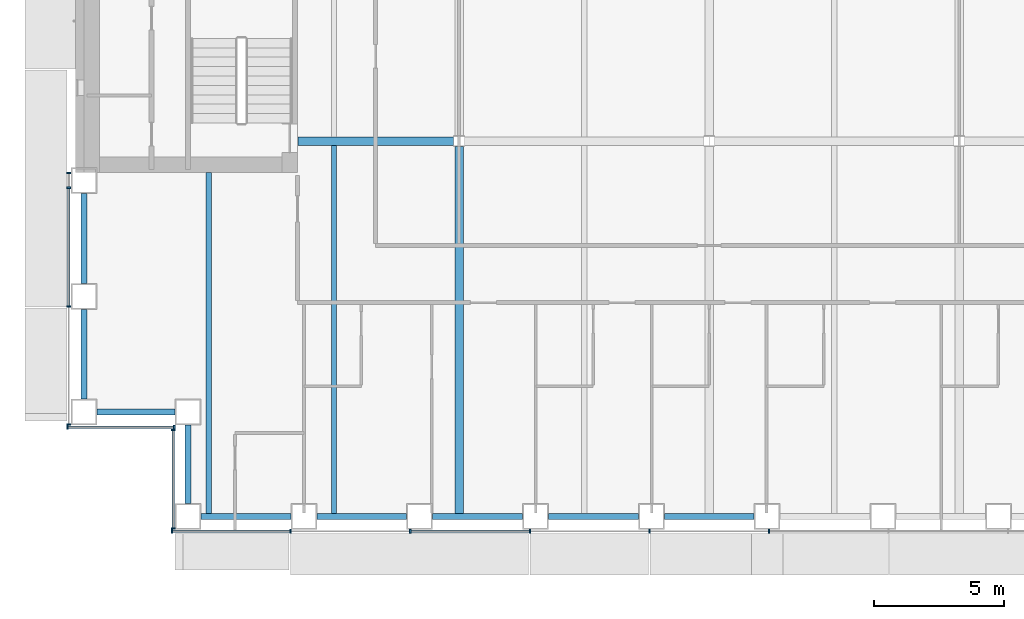
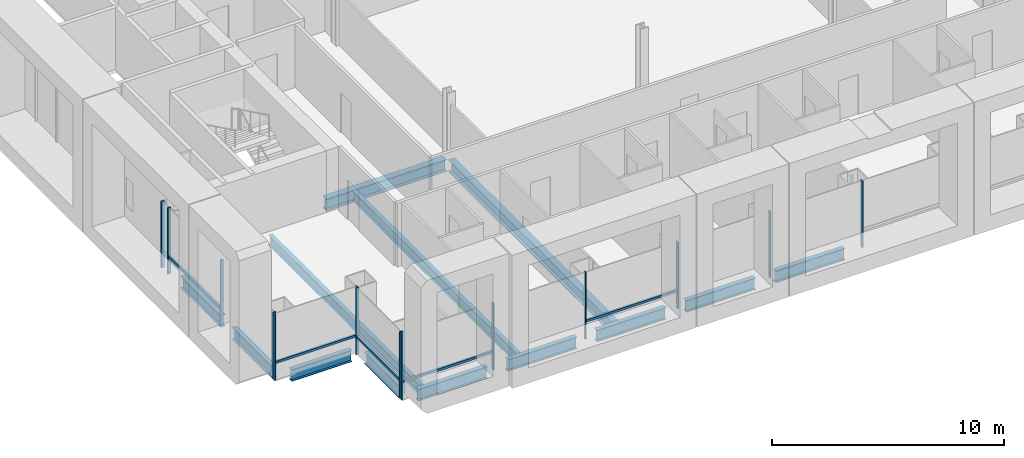
# One storey, part 2 of 25: 19 members, 13 beams, 4 elements without a shape of their own.
"""IFC4 building model written with IfcOpenShell, lengths in metres."""

from ifc_helpers import new_model, si_unit, direction, frame, origin, origin_2d, place, context, subcontext, project, spatial, rectangle, i_section, extrude, material, material_profile, profile_set, type_object, element, aggregate, save


model = new_model("IFC4")

# Units and contexts
model_context = context("Model", 3, precision=1e-05, world=origin(), true_north=direction((0.0, 1.0)))
body_context = subcontext(model_context, "Body", "Model", "MODEL_VIEW")
ifc_project = project(units=[si_unit("LENGTHUNIT", "METRE"), si_unit("AREAUNIT", "SQUARE_METRE"), si_unit("VOLUMEUNIT", "CUBIC_METRE"), si_unit("PLANEANGLEUNIT", "RADIAN"), si_unit("MASSUNIT", "GRAM", prefix="KILO")], contexts=[model_context])

# Site, building, storey
site_placement = place(None, origin())
site = spatial("IfcSite", under=ifc_project, at=site_placement, CompositionType="ELEMENT")
building_placement = place(site_placement, origin())
building = spatial("IfcBuilding", under=site, at=building_placement, Name="Cobrizo Arcos Hotel Tower", CompositionType="ELEMENT")
storey_placement = place(building_placement, frame((0.0, 0.0, 46.0)))
storey = spatial("IfcBuildingStorey", under=building, at=storey_placement, Name="L09", CompositionType="ELEMENT", Elevation=46.0)

# Curtain wall, members
ifc_material_1 = material(Name="Aluminium 6063-T6 anodised bronze", Category="aluminium")
curtain_wall_type = type_object("IfcCurtainWallType", Name="CW-A guest facade", PredefinedType="NOTDEFINED", material=ifc_material_1)
curtain_wall_1_placement = place(storey_placement, origin())
curtain_wall_1 = element("IfcCurtainWall", 1, at=curtain_wall_1_placement, inside=storey, type_object=curtain_wall_type, Name="CW-A L09 S face", PredefinedType="NOTDEFINED")
ifc_material_profile_1 = material_profile(ifc_material_1, rectangle(XDim=0.14990234375, YDim=0.06005859375, at=origin_2d()), Name="CW-A mullion 150x60")
ifc_profile_set_1 = profile_set([ifc_material_profile_1], Name="Aluminium 6063-T6 anodised bronze")
member_type_1 = type_object("IfcMemberType", Name="CW-A mullion 150x60", PredefinedType="MULLION", material=ifc_profile_set_1)
member_1_placement = place(storey_placement, frame((-20.6201171875, -24.574951171875, 0.0), z_axis=(0.0, 0.0, 1.0), x_axis=(0.0, -1.0, 0.0)))
member_1 = element("IfcMember", 2, at=member_1_placement, type_object=member_type_1, Name="CW-A mullion 1", PredefinedType="MULLION", context=body_context, shape_type="SweptSolid", body=[
    extrude(rectangle(XDim=0.14990234375, YDim=0.06005859375, at=origin_2d()), origin(), (0.0, 0.0, 1.0), 3.5),
])
member_2_placement = place(storey_placement, frame((-16.06103515625, -24.574951171875, 0.0), z_axis=(0.0, 0.0, 1.0), x_axis=(0.0, -1.0, 0.0)))
member_2 = element("IfcMember", 3, at=member_2_placement, type_object=member_type_1, Name="CW-A mullion 2", PredefinedType="MULLION", context=body_context, shape_type="SweptSolid", body=[
    extrude(rectangle(XDim=0.14990234375, YDim=0.06005859375, at=origin_2d()), origin(), (0.0, 0.0, 1.0), 3.5),
])
member_3_placement = place(storey_placement, frame((-11.47216796875, -24.574951171875, 0.0), z_axis=(0.0, 0.0, 1.0), x_axis=(0.0, -1.0, 0.0)))
member_3 = element("IfcMember", 4, at=member_3_placement, type_object=member_type_1, Name="CW-A mullion 3", PredefinedType="MULLION", context=body_context, shape_type="SweptSolid", body=[
    extrude(rectangle(XDim=0.14990234375, YDim=0.06005859375, at=origin_2d()), origin(), (0.0, 0.0, 1.0), 3.5),
])
member_4_placement = place(storey_placement, frame((-6.88330078125, -24.574951171875, 0.0), z_axis=(0.0, 0.0, 1.0), x_axis=(0.0, -1.0, 0.0)))
member_4 = element("IfcMember", 5, at=member_4_placement, type_object=member_type_1, Name="CW-A mullion 4", PredefinedType="MULLION", context=body_context, shape_type="SweptSolid", body=[
    extrude(rectangle(XDim=0.14990234375, YDim=0.06005859375, at=origin_2d()), origin(), (0.0, 0.0, 1.0), 3.5),
])
member_5_placement = place(storey_placement, frame((-2.29443359375, -24.574951171875, 0.0), z_axis=(0.0, 0.0, 1.0), x_axis=(0.0, -1.0, 0.0)))
member_5 = element("IfcMember", 6, at=member_5_placement, type_object=member_type_1, Name="CW-A mullion 5", PredefinedType="MULLION", context=body_context, shape_type="SweptSolid", body=[
    extrude(rectangle(XDim=0.14990234375, YDim=0.06005859375, at=origin_2d()), origin(), (0.0, 0.0, 1.0), 3.5),
])
member_6_placement = place(storey_placement, frame((2.29443359375, -24.574951171875, 0.0), z_axis=(0.0, 0.0, 1.0), x_axis=(0.0, -1.0, 0.0)))
member_6 = element("IfcMember", 7, at=member_6_placement, type_object=member_type_1, Name="CW-A mullion 6", PredefinedType="MULLION", context=body_context, shape_type="SweptSolid", body=[
    extrude(rectangle(XDim=0.14990234375, YDim=0.06005859375, at=origin_2d()), origin(), (0.0, 0.0, 1.0), 3.5),
])

curtain_wall_2_placement = place(storey_placement, origin())
curtain_wall_2 = element("IfcCurtainWall", 8, at=curtain_wall_2_placement, inside=storey, type_object=curtain_wall_type, Name="CW-A L09 W face", PredefinedType="NOTDEFINED")
member_7_placement = place(storey_placement, frame((-24.574951171875, -10.830078125, 0.0), z_axis=(0.0, 0.0, 1.0), x_axis=(-1.0, 0.0, 0.0)))
member_7 = element("IfcMember", 9, at=member_7_placement, type_object=member_type_1, Name="CW-A mullion 1", PredefinedType="MULLION", context=body_context, shape_type="SweptSolid", body=[
    extrude(rectangle(XDim=0.14990234375, YDim=0.06005859375, at=origin_2d()), origin(), (0.0, 0.0, 1.0), 3.5),
])
member_8_placement = place(storey_placement, frame((-24.574951171875, -11.388916015625, 0.0), z_axis=(0.0, 0.0, 1.0), x_axis=(-1.0, 0.0, 0.0)))
member_8 = element("IfcMember", 10, at=member_8_placement, type_object=member_type_1, Name="CW-A mullion 2", PredefinedType="MULLION", context=body_context, shape_type="SweptSolid", body=[
    extrude(rectangle(XDim=0.14990234375, YDim=0.06005859375, at=origin_2d()), origin(), (0.0, 0.0, 1.0), 3.5),
])
member_9_placement = place(storey_placement, frame((-24.574951171875, -15.9443359375, 0.0), z_axis=(0.0, 0.0, 1.0), x_axis=(-1.0, 0.0, 0.0)))
member_9 = element("IfcMember", 11, at=member_9_placement, type_object=member_type_1, Name="CW-A mullion 3", PredefinedType="MULLION", context=body_context, shape_type="SweptSolid", body=[
    extrude(rectangle(XDim=0.14990234375, YDim=0.06005859375, at=origin_2d()), origin(), (0.0, 0.0, 1.0), 3.5),
])
member_10_placement = place(storey_placement, frame((-24.574951171875, -20.469970703125, 0.0), z_axis=(0.0, 0.0, 1.0), x_axis=(-1.0, 0.0, 0.0)))
member_10 = element("IfcMember", 12, at=member_10_placement, type_object=member_type_1, Name="CW-A mullion 4", PredefinedType="MULLION", context=body_context, shape_type="SweptSolid", body=[
    extrude(rectangle(XDim=0.14990234375, YDim=0.06005859375, at=origin_2d()), origin(), (0.0, 0.0, 1.0), 3.5),
])

curtain_wall_3_placement = place(storey_placement, origin())
curtain_wall_3 = element("IfcCurtainWall", 13, at=curtain_wall_3_placement, inside=storey, type_object=curtain_wall_type, Name="CW-A L09 S face", PredefinedType="NOTDEFINED")
member_11_placement = place(storey_placement, frame((-24.6201171875, -20.574951171875, 0.0), z_axis=(0.0, 0.0, 1.0), x_axis=(0.0, -1.0, 0.0)))
member_11 = element("IfcMember", 14, at=member_11_placement, type_object=member_type_1, Name="CW-A mullion 1", PredefinedType="MULLION", context=body_context, shape_type="SweptSolid", body=[
    extrude(rectangle(XDim=0.14990234375, YDim=0.06005859375, at=origin_2d()), origin(), (0.0, 0.0, 1.0), 3.5),
])
member_12_placement = place(storey_placement, frame((-20.530029296875, -20.574951171875, 0.0), z_axis=(0.0, 0.0, 1.0), x_axis=(0.0, -1.0, 0.0)))
member_12 = element("IfcMember", 15, at=member_12_placement, type_object=member_type_1, Name="CW-A mullion 2", PredefinedType="MULLION", context=body_context, shape_type="SweptSolid", body=[
    extrude(rectangle(XDim=0.14990234375, YDim=0.06005859375, at=origin_2d()), origin(), (0.0, 0.0, 1.0), 3.5),
])

curtain_wall_4_placement = place(storey_placement, origin())
curtain_wall_4 = element("IfcCurtainWall", 16, at=curtain_wall_4_placement, inside=storey, type_object=curtain_wall_type, Name="CW-A L09 W face", PredefinedType="NOTDEFINED")
member_13_placement = place(storey_placement, frame((-20.574951171875, -20.679931640625, 0.0), z_axis=(0.0, 0.0, 1.0), x_axis=(-1.0, 0.0, 0.0)))
member_13 = element("IfcMember", 17, at=member_13_placement, type_object=member_type_1, Name="CW-A mullion 1", PredefinedType="MULLION", context=body_context, shape_type="SweptSolid", body=[
    extrude(rectangle(XDim=0.14990234375, YDim=0.06005859375, at=origin_2d()), origin(), (0.0, 0.0, 1.0), 3.5),
])
member_14_placement = place(storey_placement, frame((-20.574951171875, -24.469970703125, 0.0), z_axis=(0.0, 0.0, 1.0), x_axis=(-1.0, 0.0, 0.0)))
member_14 = element("IfcMember", 18, at=member_14_placement, type_object=member_type_1, Name="CW-A mullion 2", PredefinedType="MULLION", context=body_context, shape_type="SweptSolid", body=[
    extrude(rectangle(XDim=0.14990234375, YDim=0.06005859375, at=origin_2d()), origin(), (0.0, 0.0, 1.0), 3.5),
])

# Member
ifc_material_profile_2 = material_profile(ifc_material_1, rectangle(XDim=0.10009765625, YDim=0.1201171875, at=origin_2d()), Name="CW-A transom 120x100")
ifc_profile_set_2 = profile_set([ifc_material_profile_2], Name="Aluminium 6063-T6 anodised bronze")
member_type_2 = type_object("IfcMemberType", Name="CW-A transom 120x100", PredefinedType="USERDEFINED", material=ifc_profile_set_2)
member_15_placement = place(storey_placement, frame((-20.590087890625, -24.574951171875, 0.929931640625), z_axis=(1.0, 0.0, 0.0), x_axis=(0.0, 1.0, 0.0)))
member_15 = element("IfcMember", 19, at=member_15_placement, type_object=member_type_2, Name="CW-A transom 437", ObjectType="TRANSOM", PredefinedType="USERDEFINED", context=body_context, shape_type="SweptSolid", body=[
    extrude(rectangle(XDim=0.10009765625, YDim=0.1201171875, at=origin_2d()), origin(), (0.0, 0.0, 1.0), 4.4990234375),
])

member_16_placement = place(storey_placement, frame((-11.442138671875, -24.574951171875, 0.929931640625), z_axis=(1.0, 0.0, 0.0), x_axis=(0.0, 1.0, 0.0)))
member_16 = element("IfcMember", 20, at=member_16_placement, type_object=member_type_2, Name="CW-A transom 439", ObjectType="TRANSOM", PredefinedType="USERDEFINED", context=body_context, shape_type="SweptSolid", body=[
    extrude(rectangle(XDim=0.10009765625, YDim=0.1201171875, at=origin_2d()), origin(), (0.0, 0.0, 1.0), 4.52880859375),
])

aggregate(curtain_wall_1, [member_1, member_2, member_3, member_4, member_5, member_6, member_15, member_16])

member_17_placement = place(storey_placement, frame((-24.574951171875, -11.4189453125, 0.929931640625), z_axis=(0.0, -1.0, 0.0), x_axis=(1.0, 0.0, 0.0)))
member_17 = element("IfcMember", 21, at=member_17_placement, type_object=member_type_2, Name="CW-A transom 471", ObjectType="TRANSOM", PredefinedType="USERDEFINED", context=body_context, shape_type="SweptSolid", body=[
    extrude(rectangle(XDim=0.10009765625, YDim=0.1201171875, at=origin_2d()), origin(), (0.0, 0.0, 1.0), 4.49560546875),
])

aggregate(curtain_wall_2, [member_7, member_8, member_9, member_10, member_17])

member_18_placement = place(storey_placement, frame((-24.590087890625, -20.574951171875, 0.929931640625), z_axis=(1.0, 0.0, 0.0), x_axis=(0.0, 1.0, 0.0)))
member_18 = element("IfcMember", 22, at=member_18_placement, type_object=member_type_2, Name="CW-A transom 473", ObjectType="TRANSOM", PredefinedType="USERDEFINED", context=body_context, shape_type="SweptSolid", body=[
    extrude(rectangle(XDim=0.10009765625, YDim=0.1201171875, at=origin_2d()), origin(), (0.0, 0.0, 1.0), 4.030029296875),
])

aggregate(curtain_wall_3, [member_11, member_12, member_18])

member_19_placement = place(storey_placement, frame((-20.574951171875, -20.7099609375, 0.929931640625), z_axis=(0.0, -1.0, 0.0), x_axis=(1.0, 0.0, 0.0)))
member_19 = element("IfcMember", 23, at=member_19_placement, type_object=member_type_2, Name="CW-A transom 474", ObjectType="TRANSOM", PredefinedType="USERDEFINED", context=body_context, shape_type="SweptSolid", body=[
    extrude(rectangle(XDim=0.10009765625, YDim=0.1201171875, at=origin_2d()), origin(), (0.0, 0.0, 1.0), 3.72998046875),
])

aggregate(curtain_wall_4, [member_13, member_14, member_19])

# Beams
ifc_material_2 = material(Name="Steel ASTM A992 Grade 50", Category="steel")
ifc_material_profile_3 = material_profile(ifc_material_2, i_section(OverallWidth=0.209228515625, OverallDepth=0.533447265625, WebThickness=0.01025390625, FlangeThickness=0.015625, at=origin_2d()), Name="W21X62")
ifc_profile_set_3 = profile_set([ifc_material_profile_3], Name="Steel ASTM A992 Grade 50")
beam_type_1 = type_object("IfcBeamType", Name="W21X62 joist", PredefinedType="JOIST", material=ifc_profile_set_3)
beam_1_placement = place(storey_placement, frame((-19.199951171875, -23.909912109375, -0.416748046875), z_axis=(0.0, 1.0, 0.0), x_axis=(-1.0, 0.0, 0.0)))
element("IfcBeam", 24, at=beam_1_placement, inside=storey, type_object=beam_type_1, Name="Floor joist J1, L09, no. 001", PredefinedType="JOIST", context=body_context, shape_type="SweptSolid", body=[
    extrude(i_section(OverallWidth=0.209228515625, OverallDepth=0.533447265625, WebThickness=0.01025390625, FlangeThickness=0.015625, at=origin_2d()), origin(), (0.0, 0.0, 1.0), 13.099853515625),
])
beam_2_placement = place(storey_placement, frame((-14.39990234375, -23.909912109375, -0.416748046875), z_axis=(0.0, 1.0, 0.0), x_axis=(-1.0, 0.0, 0.0)))
element("IfcBeam", 25, at=beam_2_placement, inside=storey, type_object=beam_type_1, Name="Floor joist J1, L09, no. 003", PredefinedType="JOIST", context=body_context, shape_type="SweptSolid", body=[
    extrude(i_section(OverallWidth=0.209228515625, OverallDepth=0.533447265625, WebThickness=0.01025390625, FlangeThickness=0.015625, at=origin_2d()), origin(), (0.0, 0.0, 1.0), 14.14599609375),
])
ifc_material_profile_4 = material_profile(ifc_material_2, i_section(OverallWidth=0.32763671875, OverallDepth=0.622314453125, WebThickness=0.015380859375, FlangeThickness=0.0244140625, at=origin_2d()), Name="W24X131")
ifc_profile_set_4 = profile_set([ifc_material_profile_4], Name="Steel ASTM A992 Grade 50")
beam_type_2 = type_object("IfcBeamType", Name="W24X131 girder", PredefinedType="BEAM", material=ifc_profile_set_4)
beam_3_placement = place(storey_placement, frame((-15.7900390625, -9.60009765625, -0.461181640625), z_axis=(1.0, 0.0, 0.0), x_axis=(0.0, 1.0, 0.0)))
element("IfcBeam", 26, at=beam_3_placement, inside=storey, type_object=beam_type_2, Name="Floor girder G1, L09, no. 001", PredefinedType="BEAM", context=body_context, shape_type="SweptSolid", body=[
    extrude(i_section(OverallWidth=0.32763671875, OverallDepth=0.622314453125, WebThickness=0.015380859375, FlangeThickness=0.0244140625, at=origin_2d()), origin(), (0.0, 0.0, 1.0), 5.985595703125),
])
beam_4_placement = place(storey_placement, frame((-9.60009765625, -23.909912109375, -0.461181640625), z_axis=(0.0, 1.0, 0.0), x_axis=(-1.0, 0.0, 0.0)))
element("IfcBeam", 27, at=beam_4_placement, inside=storey, type_object=beam_type_2, Name="Floor girder G1, L09, no. 013", PredefinedType="BEAM", context=body_context, shape_type="SweptSolid", body=[
    extrude(i_section(OverallWidth=0.32763671875, OverallDepth=0.622314453125, WebThickness=0.015380859375, FlangeThickness=0.0244140625, at=origin_2d()), origin(), (0.0, 0.0, 1.0), 14.10546875),
])
ifc_material_profile_5 = material_profile(ifc_material_2, i_section(OverallWidth=0.23046875, OverallDepth=0.6171875, WebThickness=0.01318359375, FlangeThickness=0.022216796875, at=origin_2d()), Name="W24X94")
ifc_profile_set_5 = profile_set([ifc_material_profile_5], Name="Steel ASTM A992 Grade 50")
beam_type_3 = type_object("IfcBeamType", Name="W24X94 spandrel", PredefinedType="SPANDREL", material=ifc_profile_set_5)
beam_5_placement = place(storey_placement, frame((-19.5, -24.0, -0.45849609375), z_axis=(1.0, 0.0, 0.0), x_axis=(0.0, 1.0, 0.0)))
element("IfcBeam", 28, at=beam_5_placement, inside=storey, type_object=beam_type_3, Name="Spandrel beam W24X94, L09, no. 001", PredefinedType="SPANDREL", context=body_context, shape_type="SweptSolid", body=[
    extrude(i_section(OverallWidth=0.23046875, OverallDepth=0.6171875, WebThickness=0.01318359375, FlangeThickness=0.022216796875, at=origin_2d()), origin(), (0.0, 0.0, 1.0), 3.444091796875),
])
beam_6_placement = place(storey_placement, frame((-15.055908203125, -24.0, -0.45849609375), z_axis=(1.0, 0.0, 0.0), x_axis=(0.0, 1.0, 0.0)))
element("IfcBeam", 29, at=beam_6_placement, inside=storey, type_object=beam_type_3, Name="Spandrel beam W24X94, L09, no. 002", PredefinedType="SPANDREL", context=body_context, shape_type="SweptSolid", body=[
    extrude(i_section(OverallWidth=0.23046875, OverallDepth=0.6171875, WebThickness=0.01318359375, FlangeThickness=0.022216796875, at=origin_2d()), origin(), (0.0, 0.0, 1.0), 3.44482421875),
])
beam_7_placement = place(storey_placement, frame((-10.611083984375, -24.0, -0.45849609375), z_axis=(1.0, 0.0, 0.0), x_axis=(0.0, 1.0, 0.0)))
element("IfcBeam", 30, at=beam_7_placement, inside=storey, type_object=beam_type_3, Name="Spandrel beam W24X94, L09, no. 003", PredefinedType="SPANDREL", context=body_context, shape_type="SweptSolid", body=[
    extrude(i_section(OverallWidth=0.23046875, OverallDepth=0.6171875, WebThickness=0.01318359375, FlangeThickness=0.022216796875, at=origin_2d()), origin(), (0.0, 0.0, 1.0), 3.444091796875),
])
beam_8_placement = place(storey_placement, frame((-6.1669921875, -24.0, -0.45849609375), z_axis=(1.0, 0.0, 0.0), x_axis=(0.0, 1.0, 0.0)))
element("IfcBeam", 31, at=beam_8_placement, inside=storey, type_object=beam_type_3, Name="Spandrel beam W24X94, L09, no. 004", PredefinedType="SPANDREL", context=body_context, shape_type="SweptSolid", body=[
    extrude(i_section(OverallWidth=0.23046875, OverallDepth=0.6171875, WebThickness=0.01318359375, FlangeThickness=0.022216796875, at=origin_2d()), origin(), (0.0, 0.0, 1.0), 3.445068359375),
])
beam_9_placement = place(storey_placement, frame((-1.721923828125, -24.0, -0.45849609375), z_axis=(1.0, 0.0, 0.0), x_axis=(0.0, 1.0, 0.0)))
element("IfcBeam", 32, at=beam_9_placement, inside=storey, type_object=beam_type_3, Name="Spandrel beam W24X94, L09, no. 005", PredefinedType="SPANDREL", context=body_context, shape_type="SweptSolid", body=[
    extrude(i_section(OverallWidth=0.23046875, OverallDepth=0.6171875, WebThickness=0.01318359375, FlangeThickness=0.022216796875, at=origin_2d()), origin(), (0.0, 0.0, 1.0), 3.44384765625),
])
beam_10_placement = place(storey_placement, frame((-24.0, -11.611083984375, -0.45849609375), z_axis=(0.0, -1.0, 0.0), x_axis=(1.0, 0.0, 0.0)))
element("IfcBeam", 33, at=beam_10_placement, inside=storey, type_object=beam_type_3, Name="Spandrel beam W24X94, L09, no. 031", PredefinedType="SPANDREL", context=body_context, shape_type="SweptSolid", body=[
    extrude(i_section(OverallWidth=0.23046875, OverallDepth=0.6171875, WebThickness=0.01318359375, FlangeThickness=0.022216796875, at=origin_2d()), origin(), (0.0, 0.0, 1.0), 3.44482421875),
])
beam_11_placement = place(storey_placement, frame((-24.0, -16.055908203125, -0.45849609375), z_axis=(0.0, -1.0, 0.0), x_axis=(1.0, 0.0, 0.0)))
element("IfcBeam", 34, at=beam_11_placement, inside=storey, type_object=beam_type_3, Name="Spandrel beam W24X94, L09, no. 032", PredefinedType="SPANDREL", context=body_context, shape_type="SweptSolid", body=[
    extrude(i_section(OverallWidth=0.23046875, OverallDepth=0.6171875, WebThickness=0.01318359375, FlangeThickness=0.022216796875, at=origin_2d()), origin(), (0.0, 0.0, 1.0), 3.444091796875),
])
for number, where, z_axis, x_axis, name in (
    (35, (-23.5, -20.0, -0.45849609375), (1.0, 0.0, 0.0), (0.0, 1.0, 0.0), "Spandrel beam W24X94, L09, no. 033"),
    (36, (-20.0, -20.5, -0.45849609375), (0.0, -1.0, 0.0), (1.0, 0.0, 0.0), "Spandrel beam W24X94, L09, no. 034"),
):
    element("IfcBeam", number, at=place(storey_placement, frame(where, z_axis=z_axis, x_axis=x_axis)), inside=storey, type_object=beam_type_3, Name=name, PredefinedType="SPANDREL", context=body_context, shape_type="SweptSolid", body=[
        extrude(i_section(OverallWidth=0.23046875, OverallDepth=0.6171875, WebThickness=0.01318359375, FlangeThickness=0.022216796875, at=origin_2d()), origin(), (0.0, 0.0, 1.0), 3.0),
    ])

save(model, "model.ifc")
